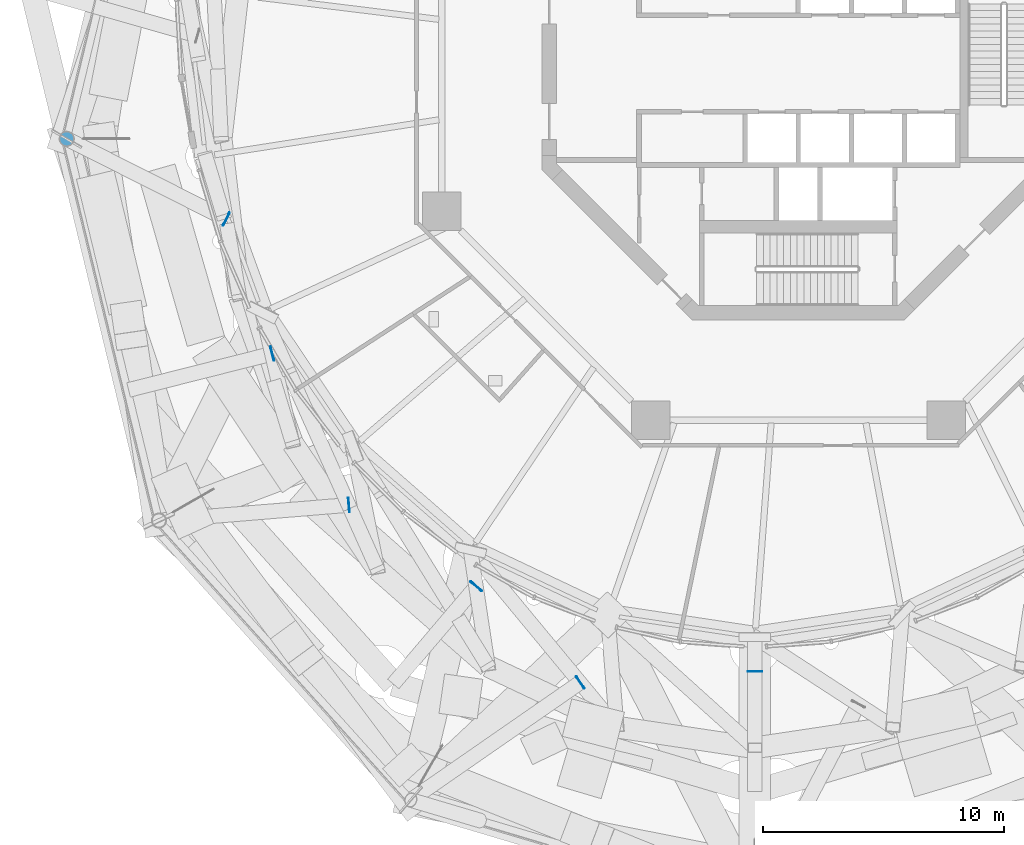
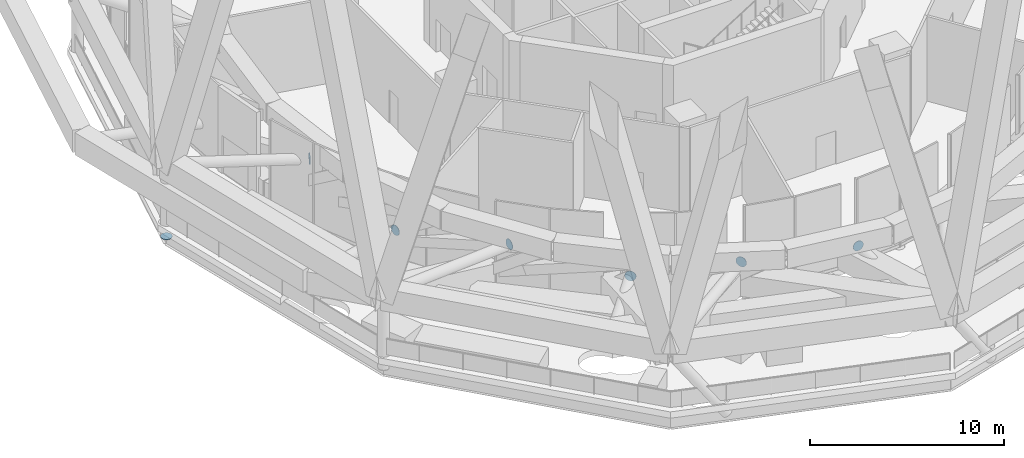
# One storey, part 43 of 48: 7 discrete accessories.
"""IFC4 building model written with IfcOpenShell, lengths in metres."""

from ifc_helpers import new_model, si_unit, direction, frame, origin, origin_2d, place, context, subcontext, project, spatial, circle, extrude, material, layer, layer_set, type_object, element, save


model = new_model("IFC4")

# Units and contexts
model_context = context("Model", 3, precision=1e-05, world=origin(), true_north=direction((0.0, 1.0)))
body_context = subcontext(model_context, "Body", "Model", "MODEL_VIEW")
ifc_project = project(units=[si_unit("LENGTHUNIT", "METRE"), si_unit("AREAUNIT", "SQUARE_METRE"), si_unit("VOLUMEUNIT", "CUBIC_METRE"), si_unit("PLANEANGLEUNIT", "RADIAN"), si_unit("MASSUNIT", "GRAM", prefix="KILO")], contexts=[model_context])

# Site, building, storey
site_placement = place(None, origin())
site = spatial("IfcSite", under=ifc_project, at=site_placement, CompositionType="ELEMENT")
building_placement = place(site_placement, origin())
building = spatial("IfcBuilding", under=site, at=building_placement, Name="Nagisa Residences", CompositionType="ELEMENT")
storey_placement = place(building_placement, frame((0.0, 0.0, 252.89990234375)))
storey = spatial("IfcBuildingStorey", under=building, at=storey_placement, Name="L64", CompositionType="ELEMENT", Elevation=252.89990234375)

# Discrete accessories
ifc_material_1 = material(Name="Steel ASTM A572 Gr 50", Category="steel")
ifc_layer_1 = layer(ifc_material_1, 0.030029296875)
ifc_layer_set_1 = layer_set([ifc_layer_1], Name="End plate")
discrete_accessory_type_1 = type_object("IfcDiscreteAccessoryType", Name="End plate", PredefinedType="ANCHORPLATE", material=ifc_layer_set_1)
discrete_accessory_1_placement = place(storey_placement, frame((-30.320068359375, -3.11767578125, -0.889892578125), z_axis=(0.0, 0.0, -1.0), x_axis=(1.0, 0.0, 0.0)))
element("IfcDiscreteAccessory", 1, at=discrete_accessory_1_placement, inside=storey, type_object=discrete_accessory_type_1, Name="End plate DH504", PredefinedType="ANCHORPLATE", context=body_context, shape_type="SweptSolid", body=[
    extrude(circle(Radius=0.304931640625, at=origin_2d()), origin(), (0.0, 0.0, 1.0), 0.030029296875),
])
ifc_material_2 = material(Name="Steel ASTM A572 Gr 50", Category="steel")
ifc_layer_2 = layer(ifc_material_2, 0.030029296875)
ifc_layer_set_2 = layer_set([ifc_layer_2], Name="Node plate")
discrete_accessory_type_2 = type_object("IfcDiscreteAccessoryType", Name="Node plate", PredefinedType="ANCHORPLATE", material=ifc_layer_set_2)
for number, where, z_axis, x_axis, name in (
    (2, (-21.81787109375, -12.026123046875, 1.900146484375), (0.969661287127, 0.244452425326, 0.0), (-0.244452425326, 0.969661287127, 0.0), "Node plate ST5A08"),
    (3, (-13.357421875, -21.678955078125, 1.900146484375), (0.652132982659, 0.758104592341, 0.0), (-0.758104592341, 0.652132982659, 0.0), "Node plate ST5A09"),
    (4, (-1.800048828125, -25.212158203125, 1.900146484375), (0.0, 1.0, 0.0), (-1.0, 0.0, 0.0), "Node plate ST5A10"),
    (5, (-23.719970703125, -6.44287109375, 3.7001953125), (0.894427191, -0.4472135955, 0.0), (0.4472135955, 0.894427191, 0.0), "Node plate ST6B07"),
):
    element("IfcDiscreteAccessory", number, at=place(storey_placement, frame(where, z_axis=z_axis, x_axis=x_axis)), inside=storey, type_object=discrete_accessory_type_2, Name=name, PredefinedType="ANCHORPLATE", context=body_context, shape_type="SweptSolid", body=[
        extrude(circle(Radius=0.304931640625, at=origin_2d()), origin(), (0.0, 0.0, 1.0), 0.030029296875),
    ])
discrete_accessory_2_placement = place(storey_placement, frame((-18.6396484375, -18.292724609375, 3.7001953125), z_axis=(0.996657521232, 0.081693239445, 0.0), x_axis=(-0.081693239445, 0.996657521232, 0.0)))
element("IfcDiscreteAccessory", 6, at=discrete_accessory_2_placement, inside=storey, type_object=discrete_accessory_type_2, Name="Node plate ST6B08", PredefinedType="ANCHORPLATE", context=body_context, shape_type="SweptSolid", body=[
    extrude(circle(Radius=0.304931640625, at=origin_2d()), origin(), (0.0, 0.0, 1.0), 0.02978515625),
])
discrete_accessory_3_placement = place(storey_placement, frame((-9.04736328125, -25.65673828125, 3.7001953125), z_axis=(0.821899128607, 0.56963305943, 0.0), x_axis=(-0.56963305943, 0.821899128607, 0.0)))
element("IfcDiscreteAccessory", 7, at=discrete_accessory_3_placement, inside=storey, type_object=discrete_accessory_type_2, Name="Node plate ST6B09", PredefinedType="ANCHORPLATE", context=body_context, shape_type="SweptSolid", body=[
    extrude(circle(Radius=0.304931640625, at=origin_2d()), origin(), (0.0, 0.0, 1.0), 0.030029296875),
])

save(model, "model.ifc")
